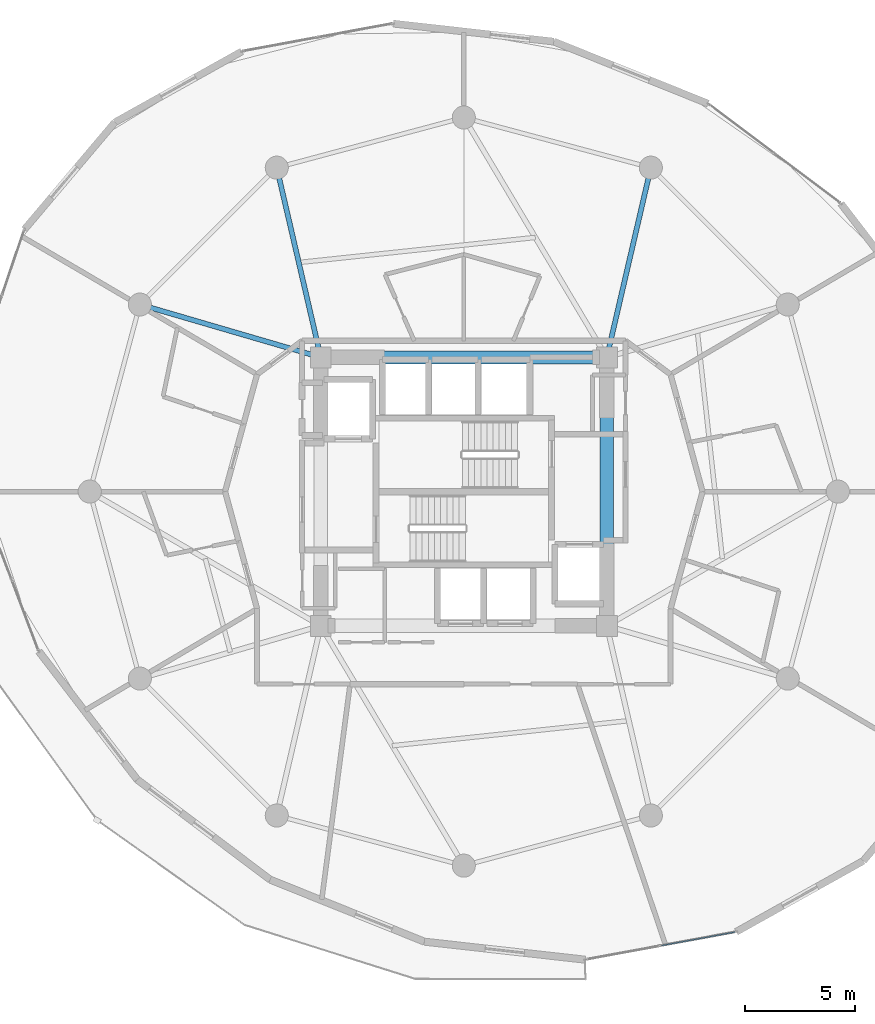
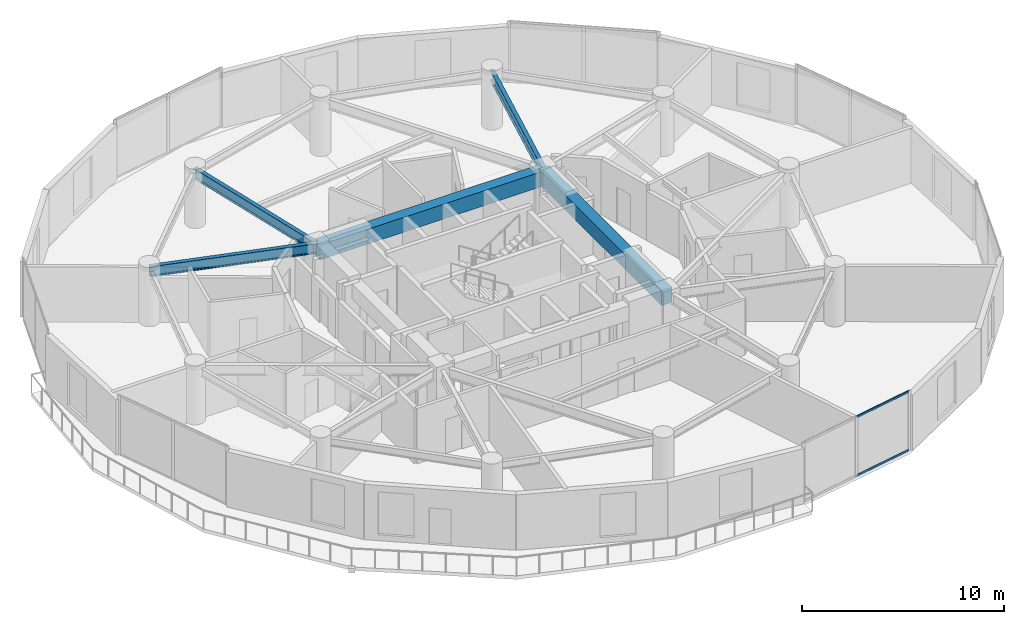
# One storey, part 9 of 25: 5 beams, 2 members, 1 element without a shape of its own.
"""IFC4 building model written with IfcOpenShell, lengths in metres."""

from ifc_helpers import new_model, si_unit, direction, frame, origin, origin_2d, place, context, subcontext, project, spatial, rectangle, hollow_rectangle, i_section, extrude, source, transform, mapped, material, layer, layer_set, material_profile, profile_set, type_object, element, aggregate, save


model = new_model("IFC4")

# Units and contexts
model_context = context("Model", 3, precision=1e-05, world=origin(), true_north=direction((0.0, 1.0)))
body_context = subcontext(model_context, "Body", "Model", "MODEL_VIEW")
ifc_project = project(units=[si_unit("LENGTHUNIT", "METRE"), si_unit("AREAUNIT", "SQUARE_METRE"), si_unit("VOLUMEUNIT", "CUBIC_METRE"), si_unit("PLANEANGLEUNIT", "RADIAN"), si_unit("MASSUNIT", "GRAM", prefix="KILO")], contexts=[model_context])

# Site, building, storey
site_placement = place(None, origin())
site = spatial("IfcSite", under=ifc_project, at=site_placement, CompositionType="ELEMENT")
building_placement = place(site_placement, origin())
building = spatial("IfcBuilding", under=site, at=building_placement, Name="Solvirekh Grand Hotel", CompositionType="ELEMENT")
storey_placement = place(building_placement, frame((0.0, 0.0, 106.199951171875)))
storey = spatial("IfcBuildingStorey", under=building, at=storey_placement, Name="L26", CompositionType="ELEMENT", Elevation=106.199951171875)

# Beams
ifc_material_1 = material(Name="Concrete C50/60", Category="concrete")
ifc_material_profile_1 = material_profile(ifc_material_1, rectangle(XDim=0.60009765625, YDim=0.89990234375, at=origin_2d()), Name="RC BEAM 600X900")
ifc_profile_set_1 = profile_set([ifc_material_profile_1], Name="Concrete C50/60")
beam_type_1 = type_object("IfcBeamType", Name="Beam_Core_RC900", PredefinedType="BEAM", material=ifc_profile_set_1)
beam_1_placement = place(storey_placement, frame((6.5, -6.10009765625, 2.900146484375), z_axis=(0.0, 1.0, 0.0), x_axis=(-1.0, 0.0, 0.0)))
element("IfcBeam", 1, at=beam_1_placement, inside=storey, type_object=beam_type_1, Name="L26 core coupling ring beam 2", PredefinedType="BEAM", context=body_context, shape_type="SweptSolid", body=[
    extrude(rectangle(XDim=0.60009765625, YDim=0.89990234375, at=origin_2d()), origin(), (0.0, 0.0, 1.0), 12.2001953125),
])
beam_2_placement = place(storey_placement, frame((6.5, 6.10009765625, 2.900146484375), z_axis=(-1.0, 0.0, 0.0), x_axis=(0.0, -1.0, 0.0)))
element("IfcBeam", 2, at=beam_2_placement, inside=storey, type_object=beam_type_1, Name="L26 core coupling ring beam 3", PredefinedType="BEAM", context=body_context, shape_type="SweptSolid", body=[
    extrude(rectangle(XDim=0.60009765625, YDim=0.89990234375, at=origin_2d()), origin(), (0.0, 0.0, 1.0), 13.0),
])
ifc_material_2 = material(Name="Steel S355", Category="steel")
ifc_material_profile_2 = material_profile(ifc_material_2, i_section(OverallWidth=0.22802734375, OverallDepth=0.616943359375, WebThickness=0.012939453125, FlangeThickness=0.02001953125, FilletRadius=0.014892578125, at=origin_2d()), Name="W610X140")
ifc_profile_set_2 = profile_set([ifc_material_profile_2], Name="Steel S355")
beam_type_2 = type_object("IfcBeamType", Name="Beam_Radial_W610", PredefinedType="BEAM", material=ifc_profile_set_2)
for number, where, z_axis, x_axis, name in (
    (3, (6.5, 6.10009765625, 3.0419921875), (0.225969390542, 0.974134402707, 0.0), (-0.974134402707, 0.225969390542, 0.0), "L26 radial floor beam R03"),
    (4, (-6.5, 6.10009765625, 3.0419921875), (-0.225969390542, 0.974134402707, 0.0), (-0.974134402707, -0.225969390542, 0.0), "L26 radial floor beam R05"),
):
    element("IfcBeam", number, at=place(storey_placement, frame(where, z_axis=z_axis, x_axis=x_axis)), inside=storey, type_object=beam_type_2, Name=name, PredefinedType="BEAM", context=body_context, shape_type="SweptSolid", body=[
        extrude(i_section(OverallWidth=0.22802734375, OverallDepth=0.616943359375, WebThickness=0.012939453125, FlangeThickness=0.02001953125, FilletRadius=0.014892578125, at=origin_2d()), origin(), (0.0, 0.0, 1.0), 8.850830078125),
    ])
beam_3_placement = place(storey_placement, frame((-6.5, 6.10009765625, 3.0419921875), z_axis=(-0.959942195467, 0.28019811092, 0.0), x_axis=(-0.28019811092, -0.959942195467, 0.0)))
element("IfcBeam", 5, at=beam_3_placement, inside=storey, type_object=beam_type_2, Name="L26 radial floor beam R06", PredefinedType="BEAM", context=body_context, shape_type="SweptSolid", body=[
    extrude(i_section(OverallWidth=0.22802734375, OverallDepth=0.616943359375, WebThickness=0.012939453125, FlangeThickness=0.02001953125, FilletRadius=0.014892578125, at=origin_2d()), origin(), (0.0, 0.0, 1.0), 8.56494140625),
])

# Curtain wall, members
ifc_material_3 = material(Name="Anodized Bronze Aluminium 6063-T6", Category="aluminium")
ifc_layer = layer(ifc_material_3, 0.175048828125)
ifc_layer_set = layer_set([ifc_layer], Name="Anodized Bronze Aluminium 6063-T6")
curtain_wall_type = type_object("IfcCurtainWallType", Name="CW_Sys3_MidZoneFlushBronzeCW", PredefinedType="NOTDEFINED", material=ifc_layer_set)
curtain_wall_placement = place(storey_placement, origin())
curtain_wall = element("IfcCurtainWall", 6, at=curtain_wall_placement, inside=storey, type_object=curtain_wall_type, Name="L26 unitised bronze-glass curtain wall CW-L26-C18", PredefinedType="NOTDEFINED")
ifc_material_profile_3 = material_profile(ifc_material_3, hollow_rectangle(XDim=0.054931640625, YDim=0.1201171875, WallThickness=0.00390625, at=origin_2d()), Name="ALU RHS 120X55X4")
ifc_profile_set_3 = profile_set([ifc_material_profile_3], Name="Anodized Bronze Aluminium 6063-T6")
member_type = type_object("IfcMemberType", Name="CWTransom_Sys3", PredefinedType="USERDEFINED", material=ifc_profile_set_3)
shared_shape = source(origin(), body_context, "Body", "SweptSolid", [
    extrude(hollow_rectangle(XDim=0.054931640625, YDim=0.1201171875, WallThickness=0.00390625, at=origin_2d()), origin(), (0.0, 0.0, 1.0), 3.397216796875),
])
member_1_placement = place(storey_placement, frame((8.97998046875, -20.634521484375, 0.027587890625), z_axis=(0.983490568923, 0.180959390029, 0.0), x_axis=(-0.180959390029, 0.983490568923, 0.0)))
member_1 = element("IfcMember", 7, at=member_1_placement, type_object=member_type, Name="U03 transom 2.1", ObjectType="TRANSOM", PredefinedType="USERDEFINED", context=body_context, shape_type="MappedRepresentation", body=[
    mapped(shared_shape, transform((0.0, 0.0, 0.0), x_axis=(1.0, 0.0, 0.0), y_axis=(0.0, 1.0, 0.0), z_axis=(0.0, 0.0, 1.0), scale=1.0)),
])
member_2_placement = place(storey_placement, frame((8.97998046875, -20.634521484375, 3.572509765625), z_axis=(0.983490568923, 0.180959390029, 0.0), x_axis=(-0.180959390029, 0.983490568923, 0.0)))
member_2 = element("IfcMember", 8, at=member_2_placement, type_object=member_type, Name="U03 transom 2.2", ObjectType="TRANSOM", PredefinedType="USERDEFINED", context=body_context, shape_type="MappedRepresentation", body=[
    mapped(shared_shape, transform((0.0, 0.0, 0.0), x_axis=(1.0, 0.0, 0.0), y_axis=(0.0, 1.0, 0.0), z_axis=(0.0, 0.0, 1.0), scale=1.0)),
])
aggregate(curtain_wall, [member_1, member_2])

save(model, "model.ifc")
